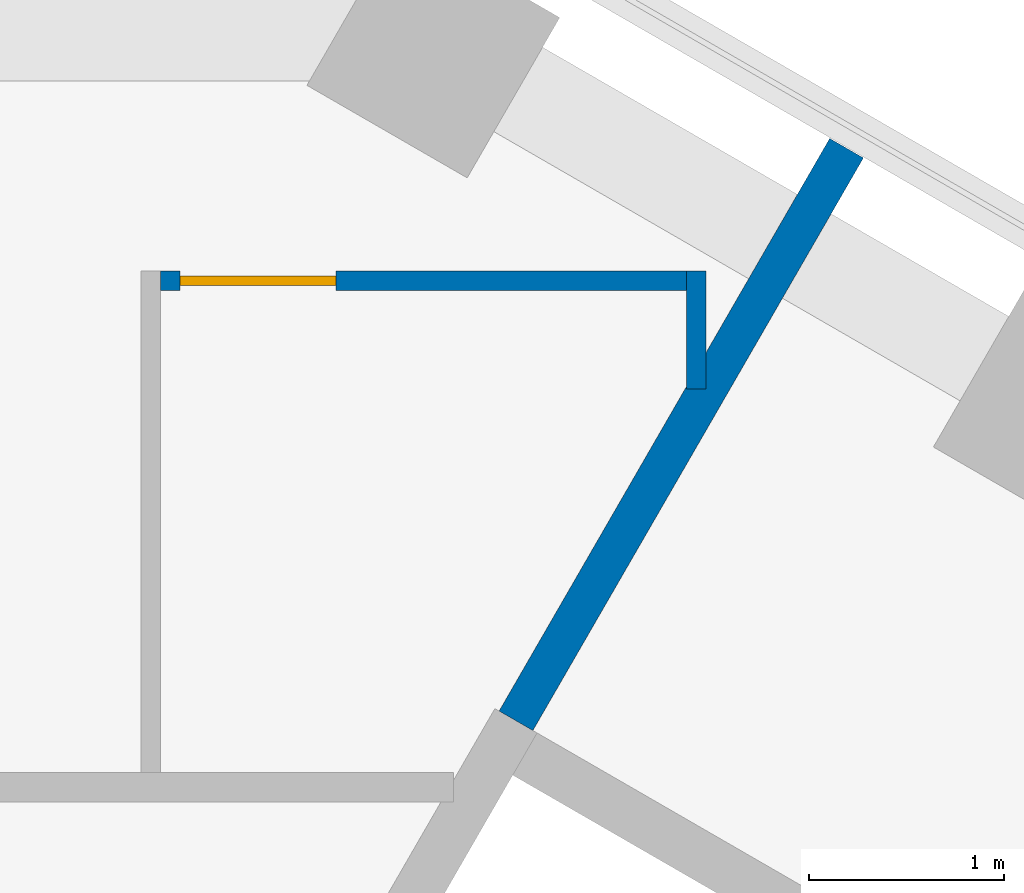
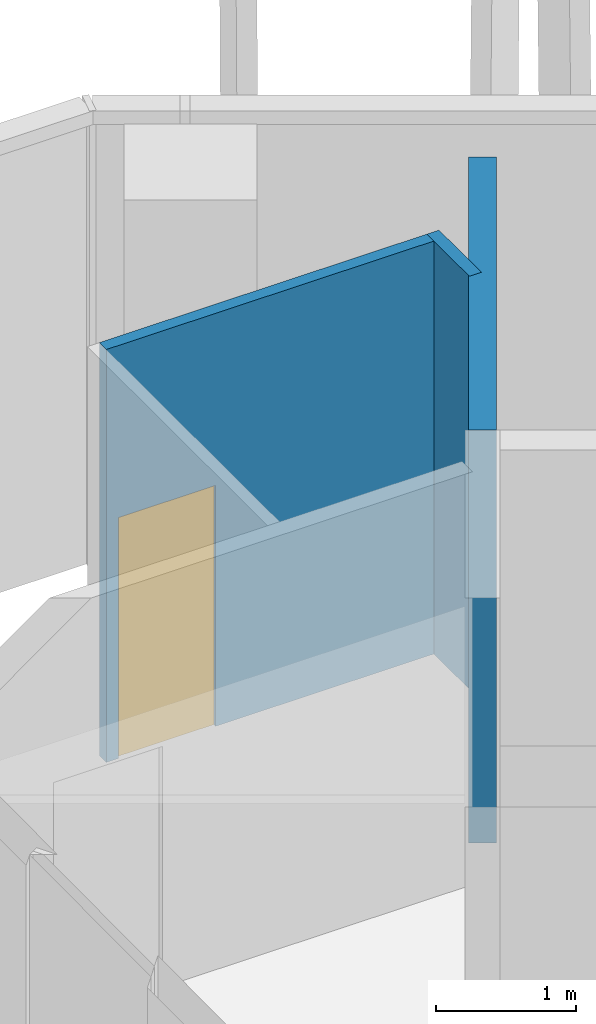
# One storey, part 22 of 28: 3 walls, 1 door, 1 opening.
"""IFC4 building model written with IfcOpenShell, lengths in metres."""

from ifc_helpers import new_model, si_unit, direction, frame, frame_2d, origin, place, context, subcontext, project, spatial, rectangle, extrude, material, layer, layer_set, type_object, element, fill, save


model = new_model("IFC4")

# Units and contexts
model_context = context("Model", 3, precision=1e-05, world=origin(), true_north=direction((0.0, 1.0)))
body_context = subcontext(model_context, "Body", "Model", "MODEL_VIEW")
ifc_project = project(units=[si_unit("LENGTHUNIT", "METRE"), si_unit("AREAUNIT", "SQUARE_METRE"), si_unit("VOLUMEUNIT", "CUBIC_METRE"), si_unit("PLANEANGLEUNIT", "RADIAN"), si_unit("MASSUNIT", "GRAM", prefix="KILO")], contexts=[model_context])

# Site, building, storey
site_placement = place(None, origin())
site = spatial("IfcSite", under=ifc_project, at=site_placement, CompositionType="ELEMENT")
building_placement = place(site_placement, origin())
building = spatial("IfcBuilding", under=site, at=building_placement, Name="Ayvan Gate Tower", CompositionType="ELEMENT")
storey_placement = place(building_placement, frame((0.0, 0.0, 202.10009765625)))
storey = spatial("IfcBuildingStorey", under=building, at=storey_placement, Name="L54", CompositionType="ELEMENT", Elevation=202.10009765625)

# Wall
ifc_material_1 = material(Name="Plasterboard on steel stud", Category="steel")
ifc_layer_1 = layer(ifc_material_1, 0.10009765625)
ifc_layer_set_1 = layer_set([ifc_layer_1], Name="Plasterboard on steel stud")
wall_type_1 = type_object("IfcWallType", Name="WT-PART-100", PredefinedType="PARTITIONING", material=ifc_layer_set_1)
wall_1_placement = place(storey_placement, frame((1.952392578125, 17.881591796875, 0.0), z_axis=(0.0, 0.0, 1.0), x_axis=(0.0, 1.0, 0.0)))
element("IfcWall", 1, at=wall_1_placement, inside=storey, type_object=wall_type_1, Name="IW-L54-087", PredefinedType="PARTITIONING", context=body_context, shape_type="SweptSolid", body=[
    extrude(rectangle(XDim=0.6064453125, YDim=0.10009765625, at=frame_2d((0.30322265625, 0.0))), origin(), (0.0, 0.0, 1.0), 3.599853515625),
])

# Wall, opening, door
wall_2_placement = place(storey_placement, frame((1.90234375, 18.43798828125, 0.0), z_axis=(0.0, 0.0, 1.0), x_axis=(-1.0, 0.0, 0.0)))
wall_2 = element("IfcWall", 2, at=wall_2_placement, inside=storey, type_object=wall_type_1, Name="IW-L54-088", PredefinedType="PARTITIONING", context=body_context, shape_type="SweptSolid", body=[
    extrude(rectangle(XDim=2.699951171875, YDim=0.10009765625, at=frame_2d((1.35009765625, 0.0))), origin(), (0.0, 0.0, 1.0), 3.599853515625),
])
opening_placement = place(wall_2_placement, frame((1.800048828125, 0.0, 0.0)))
opening = element("IfcOpeningElement", 3, at=opening_placement, cuts=wall_2, Name="Opening L54-D26", PredefinedType="OPENING", context=body_context, shape_type="SweptSolid", body=[
    extrude(rectangle(XDim=0.800048828125, YDim=2.10009765625, at=frame_2d((0.39990234375, 1.050048828125))), frame((0.0, 0.06005859375, 0.0), z_axis=(0.0, -1.0, 0.0), x_axis=(1.0, 0.0, 0.0)), (0.0, 0.0, 1.0), 0.1201171875),
])
ifc_material_2 = material(Name="Timber door leaf", Category="wood")
door_type = type_object("IfcDoorType", Name="DT-800", OperationType="NOTDEFINED", PredefinedType="DOOR", material=ifc_material_2)
door_placement = place(opening_placement, origin())
door = element("IfcDoor", 4, at=door_placement, inside=storey, type_object=door_type, Name="ID-L54-026", OperationType="SINGLE_SWING_RIGHT", OverallHeight=2.10009765625, OverallWidth=0.800048828125, PredefinedType="DOOR", context=body_context, shape_type="SweptSolid", body=[
    extrude(rectangle(XDim=0.800048828125, YDim=2.10009765625, at=frame_2d((0.39990234375, 1.050048828125))), frame((0.0, 0.02490234375, 0.0), z_axis=(0.0, -1.0, 0.0), x_axis=(1.0, 0.0, 0.0)), (0.0, 0.0, 1.0), 0.050048828125),
])
fill(opening, door)

# Wall
ifc_layer_2 = layer(ifc_material_1, 0.199951171875)
ifc_layer_set_2 = layer_set([ifc_layer_2], Name="Plasterboard on steel stud")
wall_type_2 = type_object("IfcWallType", Name="WT-PLUMB-200", PredefinedType="PLUMBINGWALL", material=ifc_layer_set_2)
wall_3_placement = place(storey_placement, frame((1.027099609375, 16.178955078125, 0.0), z_axis=(0.0, 0.0, 1.0), x_axis=(0.499967283419, 0.866044291888, 0.0)))
element("IfcWall", 5, at=wall_3_placement, inside=storey, type_object=wall_type_2, Name="IW-L54-082", PredefinedType="PLUMBINGWALL", context=body_context, shape_type="SweptSolid", body=[
    extrude(rectangle(XDim=3.395263671875, YDim=0.199951171875, at=frame_2d((1.69775390625, 0.0))), origin(), (0.0, 0.0, 1.0), 3.599853515625),
])

save(model, "model.ifc")
